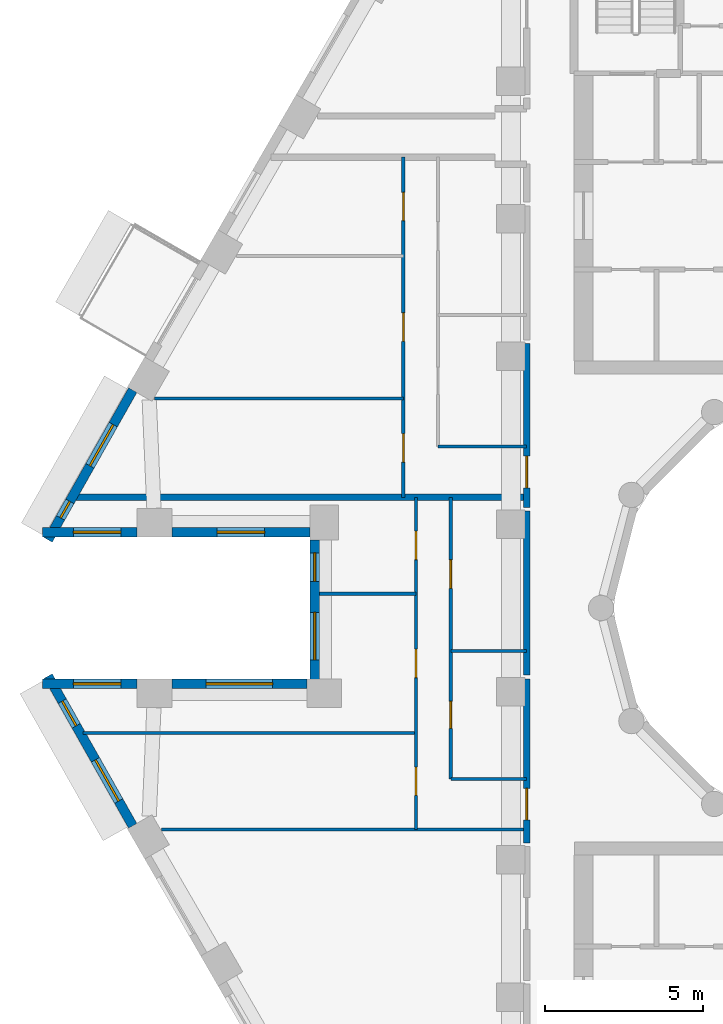
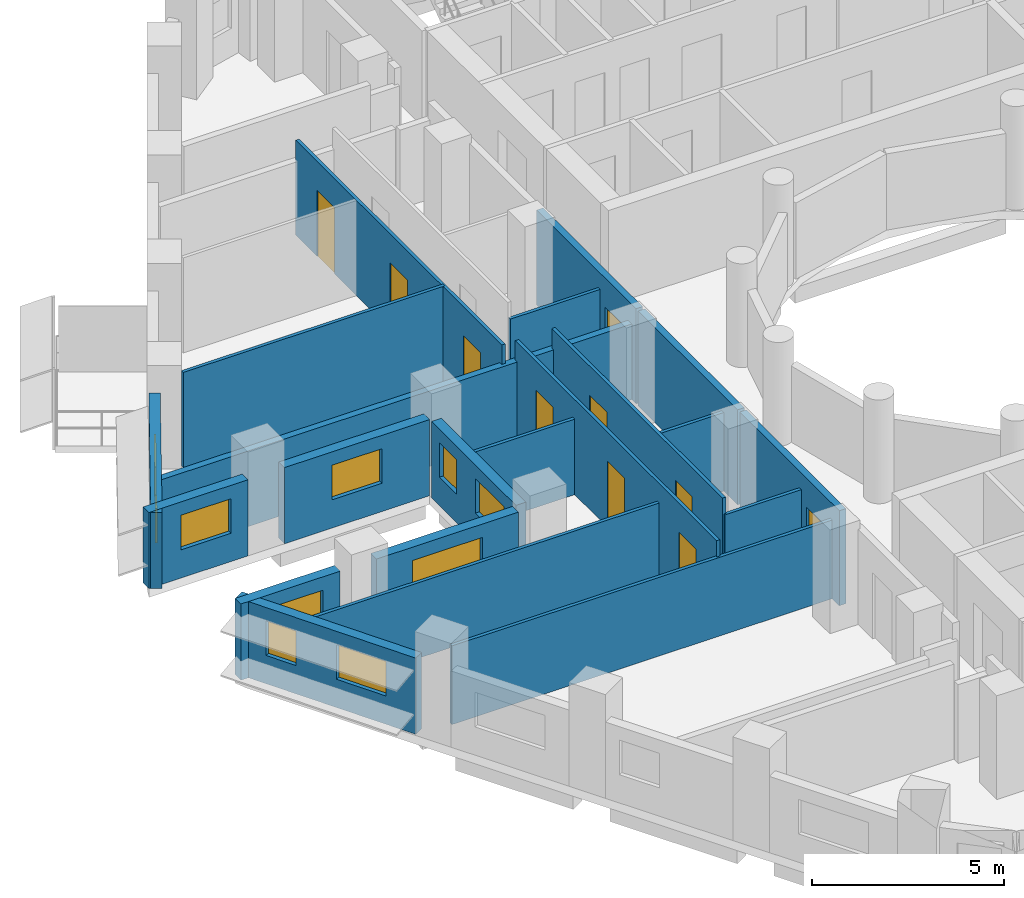
# One storey, part 4 of 14: 21 walls, 10 doors, 10 windows, 20 openings.
"""IFC4 building model written with IfcOpenShell, lengths in metres."""

from ifc_helpers import new_model, si_unit, direction, frame, frame_2d, origin, place, context, subcontext, project, spatial, rectangle, extrude, material, layer, layer_set, type_object, element, fill, save


model = new_model("IFC4")

# Units and contexts
model_context = context("Model", 3, precision=1e-05, world=origin(), true_north=direction((0.0, 1.0)))
body_context = subcontext(model_context, "Body", "Model", "MODEL_VIEW")
ifc_project = project(units=[si_unit("LENGTHUNIT", "METRE"), si_unit("AREAUNIT", "SQUARE_METRE"), si_unit("VOLUMEUNIT", "CUBIC_METRE"), si_unit("PLANEANGLEUNIT", "RADIAN"), si_unit("MASSUNIT", "GRAM", prefix="KILO")], contexts=[model_context])

# Site, building, storey
site_placement = place(None, origin())
site = spatial("IfcSite", under=ifc_project, at=site_placement, CompositionType="ELEMENT")
building_placement = place(site_placement, origin())
building = spatial("IfcBuilding", under=site, at=building_placement, Name="Nakaniwa Court", CompositionType="ELEMENT")
storey_placement = place(building_placement, frame((0.0, 0.0, 265.800048828125)))
storey = spatial("IfcBuildingStorey", under=building, at=storey_placement, Name="L70", CompositionType="ELEMENT", Elevation=265.800048828125)

# Wall, opening, door
ifc_material_1 = material(Name="Acoustic double stud partition")
ifc_layer_1 = layer(ifc_material_1, 0.199951171875)
ifc_layer_set_1 = layer_set([ifc_layer_1], Name="Acoustic double stud partition")
wall_type_1 = type_object("IfcWallType", Name="Acoustic double stud partition 200", PredefinedType="PARTITIONING", material=ifc_layer_set_1)
wall_1_placement = place(storey_placement, frame((70.5, 72.576904296875, 0.0), z_axis=(0.0, 0.0, 1.0), x_axis=(0.0, 1.0, 0.0)))
wall_1 = element("IfcWall", 1, at=wall_1_placement, inside=storey, type_object=wall_type_1, Name="Partition PW-089", PredefinedType="PARTITIONING", context=body_context, shape_type="SweptSolid", body=[
    extrude(rectangle(XDim=5.18603515625, YDim=0.199951171875, at=frame_2d((2.593017578125, 0.0))), origin(), (0.0, 0.0, 1.0), 3.02490234375),
])
opening_1_placement = place(wall_1_placement, frame((0.722900390625, 0.0, 0.0)))
opening_1 = element("IfcOpeningElement", 2, at=opening_1_placement, cuts=wall_1, Name="Opening D-01-04", PredefinedType="OPENING", context=body_context, shape_type="SweptSolid", body=[
    extrude(rectangle(XDim=1.0, YDim=2.10009765625, at=frame_2d((0.5, 1.050048828125))), frame((0.0, 0.10986328125, 0.0), z_axis=(0.0, -1.0, 0.0), x_axis=(1.0, 0.0, 0.0)), (0.0, 0.0, 1.0), 0.219970703125),
])
ifc_material_2 = material(Name="Solid core timber door set, black veneer", Category="wood")
door_type_1 = type_object("IfcDoorType", Name="Flat entrance door 1000", OperationType="NOTDEFINED", PredefinedType="DOOR", material=ifc_material_2)
door_1_placement = place(opening_1_placement, origin())
door_1 = element("IfcDoor", 3, at=door_1_placement, inside=storey, type_object=door_type_1, Name="Door D-01-04 L70-042", OperationType="SINGLE_SWING_LEFT", OverallHeight=2.10009765625, OverallWidth=1.0, PredefinedType="DOOR", context=body_context, shape_type="SweptSolid", body=[
    extrude(rectangle(XDim=1.0, YDim=2.10009765625, at=frame_2d((0.5, 1.050048828125))), frame((0.0, 0.02490234375, 0.0), z_axis=(0.0, -1.0, 0.0), x_axis=(1.0, 0.0, 0.0)), (0.0, 0.0, 1.0), 0.050048828125),
])
fill(opening_1, door_1)

# Wall
wall_2_placement = place(storey_placement, frame((70.5, 77.876953125, 0.0), z_axis=(0.0, 0.0, 1.0), x_axis=(0.0, 1.0, 0.0)))
element("IfcWall", 4, at=wall_2_placement, inside=storey, type_object=wall_type_1, Name="Partition PW-090", PredefinedType="PARTITIONING", context=body_context, shape_type="SweptSolid", body=[
    extrude(rectangle(XDim=5.18603515625, YDim=0.199951171875, at=frame_2d((2.593017578125, 0.0))), origin(), (0.0, 0.0, 1.0), 3.02490234375),
])

# Wall, opening, door
wall_3_placement = place(storey_placement, frame((70.5, 83.177001953125, 0.0), z_axis=(0.0, 0.0, 1.0), x_axis=(0.0, 1.0, 0.0)))
wall_3 = element("IfcWall", 5, at=wall_3_placement, inside=storey, type_object=wall_type_1, Name="Partition PW-091", PredefinedType="PARTITIONING", context=body_context, shape_type="SweptSolid", body=[
    extrude(rectangle(XDim=5.18603515625, YDim=0.199951171875, at=frame_2d((2.593017578125, 0.0))), origin(), (0.0, 0.0, 1.0), 3.02490234375),
])
opening_2_placement = place(wall_3_placement, frame((0.623046875, 0.0, 0.0)))
opening_2 = element("IfcOpeningElement", 6, at=opening_2_placement, cuts=wall_3, Name="Opening D-01-05", PredefinedType="OPENING", context=body_context, shape_type="SweptSolid", body=[
    extrude(rectangle(XDim=1.0, YDim=2.10009765625, at=frame_2d((0.5, 1.050048828125))), frame((0.0, 0.10986328125, 0.0), z_axis=(0.0, -1.0, 0.0), x_axis=(1.0, 0.0, 0.0)), (0.0, 0.0, 1.0), 0.219970703125),
])
door_2_placement = place(opening_2_placement, origin())
door_2 = element("IfcDoor", 7, at=door_2_placement, inside=storey, type_object=door_type_1, Name="Door D-01-05 L70-048", OperationType="SINGLE_SWING_LEFT", OverallHeight=2.10009765625, OverallWidth=1.0, PredefinedType="DOOR", context=body_context, shape_type="SweptSolid", body=[
    extrude(rectangle(XDim=1.0, YDim=2.10009765625, at=frame_2d((0.5, 1.050048828125))), frame((0.0, 0.02490234375, 0.0), z_axis=(0.0, -1.0, 0.0), x_axis=(1.0, 0.0, 0.0)), (0.0, 0.0, 1.0), 0.050048828125),
])
fill(opening_2, door_2)

# Wall
wall_4_placement = place(storey_placement, frame((56.213134765625, 83.5, 0.0), z_axis=(0.0, 0.0, 1.0), x_axis=(1.0, 0.0, 0.0)))
element("IfcWall", 8, at=wall_4_placement, inside=storey, type_object=wall_type_1, Name="Partition PW-116", PredefinedType="PARTITIONING", context=body_context, shape_type="SweptSolid", body=[
    extrude(rectangle(XDim=14.286865234375, YDim=0.199951171875, at=frame_2d((7.1435546875, 0.0))), origin(), (0.0, 0.0, 1.0), 2.405029296875),
])

# Wall, openings, windows
ifc_material_3 = material(Name="Charcoal ceramic cladding")
ifc_layer_2 = layer(ifc_material_3, 0.02, Name="Ceramic cladding")
ifc_material_4 = material(Name="Ventilated air cavity")
ifc_layer_3 = layer(ifc_material_4, 0.04, ventilated=True, Name="Ventilated cavity")
ifc_material_5 = material(Name="Mineral wool insulation")
ifc_layer_4 = layer(ifc_material_5, 0.1, Name="Insulation")
ifc_material_6 = material(Name="Cement bonded sheathing board")
ifc_layer_5 = layer(ifc_material_6, 0.012, Name="Sheathing")
ifc_material_7 = material(Name="Cold-formed galvanised stud frame with mineral wool infill")
ifc_layer_6 = layer(ifc_material_7, 0.1, Name="Stud frame")
ifc_material_8 = material(Name="Fire-rated gypsum plasterboard lining")
ifc_layer_7 = layer(ifc_material_8, 0.028, Name="Lining")
ifc_layer_set_2 = layer_set([ifc_layer_2, ifc_layer_3, ifc_layer_4, ifc_layer_5, ifc_layer_6, ifc_layer_7], Name="Charcoal ceramic faced external wall system")
wall_type_2 = type_object("IfcWallType", Name="Black ceramic faced external wall 300", PredefinedType="SOLIDWALL", material=ifc_layer_set_2)
wall_5_placement = place(storey_placement, frame((58.048095703125, 86.886474609375, 0.0), z_axis=(0.0, 0.0, 1.0), x_axis=(-0.492080931903, -0.870549456641, 0.0)))
wall_5 = element("IfcWall", 9, at=wall_5_placement, inside=storey, type_object=wall_type_2, Name="L70 external wall 14", PredefinedType="SOLIDWALL", context=body_context, shape_type="SweptSolid", body=[
    extrude(rectangle(XDim=5.436767578125, YDim=0.300048828125, at=frame_2d((2.71826171875, 0.0))), origin(), (0.0, 0.0, 1.0), 2.425048828125),
])
opening_3_placement = place(wall_5_placement, frame((1.251220703125, 0.0, 0.89990234375)))
opening_3 = element("IfcOpeningElement", 10, at=opening_3_placement, cuts=wall_5, Name="Opening W5.11", PredefinedType="OPENING", context=body_context, shape_type="SweptSolid", body=[
    extrude(rectangle(XDim=1.5, YDim=1.10009765625, at=frame_2d((0.75, 0.550048828125))), frame((0.0, 0.159912109375, 0.0), z_axis=(0.0, -1.0, 0.0), x_axis=(1.0, 0.0, 0.0)), (0.0, 0.0, 1.0), 0.320068359375),
])
opening_4_placement = place(wall_5_placement, frame((4.03955078125, 0.0, 0.89990234375)))
opening_4 = element("IfcOpeningElement", 11, at=opening_4_placement, cuts=wall_5, Name="Opening W8.12", PredefinedType="OPENING", context=body_context, shape_type="SweptSolid", body=[
    extrude(rectangle(XDim=0.60009765625, YDim=1.10009765625, at=frame_2d((0.300048828125, 0.550048828125))), frame((0.0, 0.159912109375, 0.0), z_axis=(0.0, -1.0, 0.0), x_axis=(1.0, 0.0, 0.0)), (0.0, 0.0, 1.0), 0.320068359375),
])
ifc_material_9 = material(Name="Black anodised aluminium frame with dark low-E laminated double glazing", Category="aluminium")
window_type_1 = type_object("IfcWindowType", Name="Dark glass window 1500x1100 sill 900", PartitioningType="SINGLE_PANEL", PredefinedType="WINDOW", material=ifc_material_9)
window_1_placement = place(opening_3_placement, origin())
window_1 = element("IfcWindow", 12, at=window_1_placement, inside=storey, type_object=window_type_1, Name="L70 bedroom window 14-0", OverallHeight=1.10009765625, OverallWidth=1.5, PartitioningType="SINGLE_PANEL", PredefinedType="WINDOW", context=body_context, shape_type="SweptSolid", body=[
    extrude(rectangle(XDim=1.5, YDim=1.10009765625, at=frame_2d((0.75, 0.550048828125))), frame((0.0, 0.030029296875, 0.0), z_axis=(0.0, -1.0, 0.0), x_axis=(1.0, 0.0, 0.0)), (0.0, 0.0, 1.0), 0.06005859375),
])
fill(opening_3, window_1)
window_type_2 = type_object("IfcWindowType", Name="Dark glass window 600x1100 sill 900", PartitioningType="SINGLE_PANEL", PredefinedType="WINDOW", material=ifc_material_9)
window_2_placement = place(opening_4_placement, origin())
window_2 = element("IfcWindow", 13, at=window_2_placement, inside=storey, type_object=window_type_2, Name="L70 bedroom window 14-1", OverallHeight=1.10009765625, OverallWidth=0.60009765625, PartitioningType="SINGLE_PANEL", PredefinedType="WINDOW", context=body_context, shape_type="SweptSolid", body=[
    extrude(rectangle(XDim=0.60009765625, YDim=1.10009765625, at=frame_2d((0.300048828125, 0.550048828125))), frame((0.0, 0.030029296875, 0.0), z_axis=(0.0, -1.0, 0.0), x_axis=(1.0, 0.0, 0.0)), (0.0, 0.0, 1.0), 0.06005859375),
])
fill(opening_4, window_2)

# Wall, opening, window
wall_6_placement = place(storey_placement, frame((55.2021484375, 82.39990234375, 0.0), z_axis=(0.0, 0.0, 1.0), x_axis=(1.0, 0.0, 0.0)))
wall_6 = element("IfcWall", 14, at=wall_6_placement, inside=storey, type_object=wall_type_2, Name="L70 external wall 15", PredefinedType="SOLIDWALL", context=body_context, shape_type="SweptSolid", body=[
    extrude(rectangle(XDim=2.98779296875, YDim=0.300048828125, at=frame_2d((1.493896484375, 0.0))), origin(), (0.0, 0.0, 1.0), 2.425048828125),
])
opening_5_placement = place(wall_6_placement, frame((0.968994140625, 0.0, 0.89990234375)))
opening_5 = element("IfcOpeningElement", 15, at=opening_5_placement, cuts=wall_6, Name="Opening W5.13", PredefinedType="OPENING", context=body_context, shape_type="SweptSolid", body=[
    extrude(rectangle(XDim=1.5, YDim=1.10009765625, at=frame_2d((0.75, 0.550048828125))), frame((0.0, 0.159912109375, 0.0), z_axis=(0.0, -1.0, 0.0), x_axis=(1.0, 0.0, 0.0)), (0.0, 0.0, 1.0), 0.320068359375),
])
window_3_placement = place(opening_5_placement, origin())
window_3 = element("IfcWindow", 16, at=window_3_placement, inside=storey, type_object=window_type_1, Name="L70 bedroom window 15-0", OverallHeight=1.10009765625, OverallWidth=1.5, PartitioningType="SINGLE_PANEL", PredefinedType="WINDOW", context=body_context, shape_type="SweptSolid", body=[
    extrude(rectangle(XDim=1.5, YDim=1.10009765625, at=frame_2d((0.75, 0.550048828125))), frame((0.0, 0.030029296875, 0.0), z_axis=(0.0, -1.0, 0.0), x_axis=(1.0, 0.0, 0.0)), (0.0, 0.0, 1.0), 0.06005859375),
])
fill(opening_5, window_3)

wall_7_placement = place(storey_placement, frame((59.281982421875, 82.39990234375, 0.0), z_axis=(0.0, 0.0, 1.0), x_axis=(1.0, 0.0, 0.0)))
wall_7 = element("IfcWall", 17, at=wall_7_placement, inside=storey, type_object=wall_type_2, Name="L70 external wall 16", PredefinedType="SOLIDWALL", context=body_context, shape_type="SweptSolid", body=[
    extrude(rectangle(XDim=4.37255859375, YDim=0.300048828125, at=frame_2d((2.186279296875, 0.0))), origin(), (0.0, 0.0, 1.0), 2.425048828125),
])
opening_6_placement = place(wall_7_placement, frame((1.436279296875, 0.0, 0.89990234375)))
opening_6 = element("IfcOpeningElement", 18, at=opening_6_placement, cuts=wall_7, Name="Opening W5.14", PredefinedType="OPENING", context=body_context, shape_type="SweptSolid", body=[
    extrude(rectangle(XDim=1.5, YDim=1.10009765625, at=frame_2d((0.75, 0.550048828125))), frame((0.0, 0.159912109375, 0.0), z_axis=(0.0, -1.0, 0.0), x_axis=(1.0, 0.0, 0.0)), (0.0, 0.0, 1.0), 0.320068359375),
])
window_4_placement = place(opening_6_placement, origin())
window_4 = element("IfcWindow", 19, at=window_4_placement, inside=storey, type_object=window_type_1, Name="L70 bedroom window 16-0", OverallHeight=1.10009765625, OverallWidth=1.5, PartitioningType="SINGLE_PANEL", PredefinedType="WINDOW", context=body_context, shape_type="SweptSolid", body=[
    extrude(rectangle(XDim=1.5, YDim=1.10009765625, at=frame_2d((0.75, 0.550048828125))), frame((0.0, 0.030029296875, 0.0), z_axis=(0.0, -1.0, 0.0), x_axis=(1.0, 0.0, 0.0)), (0.0, 0.0, 1.0), 0.06005859375),
])
fill(opening_6, window_4)

# Wall, openings, windows
wall_8_placement = place(storey_placement, frame((63.800537109375, 82.154052734375, 0.0), z_axis=(0.0, 0.0, 1.0), x_axis=(0.0, -1.0, 0.0)))
wall_8 = element("IfcWall", 20, at=wall_8_placement, inside=storey, type_object=wall_type_2, Name="L70 external wall 17", PredefinedType="SOLIDWALL", context=body_context, shape_type="SweptSolid", body=[
    extrude(rectangle(XDim=4.407958984375, YDim=0.300048828125, at=frame_2d((2.2041015625, 0.0))), origin(), (0.0, 0.0, 1.0), 2.425048828125),
])
opening_7_placement = place(wall_8_placement, frame((0.4130859375, 0.0, 0.89990234375)))
opening_7 = element("IfcOpeningElement", 21, at=opening_7_placement, cuts=wall_8, Name="Opening W9.15", PredefinedType="OPENING", context=body_context, shape_type="SweptSolid", body=[
    extrude(rectangle(XDim=0.89990234375, YDim=1.10009765625, at=frame_2d((0.449951171875, 0.550048828125))), frame((0.0, 0.159912109375, 0.0), z_axis=(0.0, -1.0, 0.0), x_axis=(1.0, 0.0, 0.0)), (0.0, 0.0, 1.0), 0.320068359375),
])
opening_8_placement = place(wall_8_placement, frame((2.293212890625, 0.0, 0.89990234375)))
opening_8 = element("IfcOpeningElement", 22, at=opening_8_placement, cuts=wall_8, Name="Opening W5.16", PredefinedType="OPENING", context=body_context, shape_type="SweptSolid", body=[
    extrude(rectangle(XDim=1.5, YDim=1.10009765625, at=frame_2d((0.75, 0.550048828125))), frame((0.0, 0.159912109375, 0.0), z_axis=(0.0, -1.0, 0.0), x_axis=(1.0, 0.0, 0.0)), (0.0, 0.0, 1.0), 0.320068359375),
])
window_5_placement = place(opening_8_placement, origin())
window_5 = element("IfcWindow", 23, at=window_5_placement, inside=storey, type_object=window_type_1, Name="L70 living window 17-1", OverallHeight=1.10009765625, OverallWidth=1.5, PartitioningType="SINGLE_PANEL", PredefinedType="WINDOW", context=body_context, shape_type="SweptSolid", body=[
    extrude(rectangle(XDim=1.5, YDim=1.10009765625, at=frame_2d((0.75, 0.550048828125))), frame((0.0, 0.030029296875, 0.0), z_axis=(0.0, -1.0, 0.0), x_axis=(1.0, 0.0, 0.0)), (0.0, 0.0, 1.0), 0.06005859375),
])
fill(opening_8, window_5)
window_type_3 = type_object("IfcWindowType", Name="Dark glass window 900x1100 sill 900", PartitioningType="SINGLE_PANEL", PredefinedType="WINDOW", material=ifc_material_9)
window_6_placement = place(opening_7_placement, origin())
window_6 = element("IfcWindow", 24, at=window_6_placement, inside=storey, type_object=window_type_3, Name="L70 bedroom window 17-0", OverallHeight=1.10009765625, OverallWidth=0.89990234375, PartitioningType="SINGLE_PANEL", PredefinedType="WINDOW", context=body_context, shape_type="SweptSolid", body=[
    extrude(rectangle(XDim=0.89990234375, YDim=1.10009765625, at=frame_2d((0.449951171875, 0.550048828125))), frame((0.0, 0.030029296875, 0.0), z_axis=(0.0, -1.0, 0.0), x_axis=(1.0, 0.0, 0.0)), (0.0, 0.0, 1.0), 0.06005859375),
])
fill(opening_7, window_6)

# Wall, opening, window
wall_9_placement = place(storey_placement, frame((63.554443359375, 77.60009765625, 0.0), z_axis=(0.0, 0.0, 1.0), x_axis=(-1.0, 0.0, 0.0)))
wall_9 = element("IfcWall", 25, at=wall_9_placement, inside=storey, type_object=wall_type_2, Name="L70 external wall 18", PredefinedType="SOLIDWALL", context=body_context, shape_type="SweptSolid", body=[
    extrude(rectangle(XDim=4.2724609375, YDim=0.300048828125, at=frame_2d((2.13623046875, 0.0))), origin(), (0.0, 0.0, 1.0), 2.425048828125),
])
opening_9_placement = place(wall_9_placement, frame((1.086181640625, 0.0, 0.89990234375)))
opening_9 = element("IfcOpeningElement", 26, at=opening_9_placement, cuts=wall_9, Name="Opening W7.17", PredefinedType="OPENING", context=body_context, shape_type="SweptSolid", body=[
    extrude(rectangle(XDim=2.10009765625, YDim=1.10009765625, at=frame_2d((1.050048828125, 0.550048828125))), frame((0.0, 0.159912109375, 0.0), z_axis=(0.0, -1.0, 0.0), x_axis=(1.0, 0.0, 0.0)), (0.0, 0.0, 1.0), 0.320068359375),
])
window_type_4 = type_object("IfcWindowType", Name="Dark glass window 2100x1100 sill 900", PartitioningType="SINGLE_PANEL", PredefinedType="WINDOW", material=ifc_material_9)
window_7_placement = place(opening_9_placement, origin())
window_7 = element("IfcWindow", 27, at=window_7_placement, inside=storey, type_object=window_type_4, Name="L70 living window 18-0", OverallHeight=1.10009765625, OverallWidth=2.10009765625, PartitioningType="SINGLE_PANEL", PredefinedType="WINDOW", context=body_context, shape_type="SweptSolid", body=[
    extrude(rectangle(XDim=2.10009765625, YDim=1.10009765625, at=frame_2d((1.050048828125, 0.550048828125))), frame((0.0, 0.030029296875, 0.0), z_axis=(0.0, -1.0, 0.0), x_axis=(1.0, 0.0, 0.0)), (0.0, 0.0, 1.0), 0.06005859375),
])
fill(opening_9, window_7)

wall_10_placement = place(storey_placement, frame((58.18994140625, 77.60009765625, 0.0), z_axis=(0.0, 0.0, 1.0), x_axis=(-1.0, 0.0, 0.0)))
wall_10 = element("IfcWall", 28, at=wall_10_placement, inside=storey, type_object=wall_type_2, Name="L70 external wall 19", PredefinedType="SOLIDWALL", context=body_context, shape_type="SweptSolid", body=[
    extrude(rectangle(XDim=2.98779296875, YDim=0.300048828125, at=frame_2d((1.493896484375, 0.0))), origin(), (0.0, 0.0, 1.0), 2.425048828125),
])
opening_10_placement = place(wall_10_placement, frame((0.51904296875, 0.0, 0.89990234375)))
opening_10 = element("IfcOpeningElement", 29, at=opening_10_placement, cuts=wall_10, Name="Opening W5.18", PredefinedType="OPENING", context=body_context, shape_type="SweptSolid", body=[
    extrude(rectangle(XDim=1.5, YDim=1.10009765625, at=frame_2d((0.75, 0.550048828125))), frame((0.0, 0.159912109375, 0.0), z_axis=(0.0, -1.0, 0.0), x_axis=(1.0, 0.0, 0.0)), (0.0, 0.0, 1.0), 0.320068359375),
])
window_8_placement = place(opening_10_placement, origin())
window_8 = element("IfcWindow", 30, at=window_8_placement, inside=storey, type_object=window_type_1, Name="L70 living window 19-0", OverallHeight=1.10009765625, OverallWidth=1.5, PartitioningType="SINGLE_PANEL", PredefinedType="WINDOW", context=body_context, shape_type="SweptSolid", body=[
    extrude(rectangle(XDim=1.5, YDim=1.10009765625, at=frame_2d((0.75, 0.550048828125))), frame((0.0, 0.030029296875, 0.0), z_axis=(0.0, -1.0, 0.0), x_axis=(1.0, 0.0, 0.0)), (0.0, 0.0, 1.0), 0.06005859375),
])
fill(opening_10, window_8)

# Wall, openings, windows
wall_11_placement = place(storey_placement, frame((55.372802734375, 77.846435546875, 0.0), z_axis=(0.0, 0.0, 1.0), x_axis=(0.492080931903, -0.870549456641, 0.0)))
wall_11 = element("IfcWall", 31, at=wall_11_placement, inside=storey, type_object=wall_type_2, Name="L70 external wall 20", PredefinedType="SOLIDWALL", context=body_context, shape_type="SweptSolid", body=[
    extrude(rectangle(XDim=5.436767578125, YDim=0.300048828125, at=frame_2d((2.71826171875, 0.0))), origin(), (0.0, 0.0, 1.0), 2.425048828125),
])
opening_11_placement = place(wall_11_placement, frame((0.906494140625, 0.0, 0.89990234375)))
opening_11 = element("IfcOpeningElement", 32, at=opening_11_placement, cuts=wall_11, Name="Opening W9.19", PredefinedType="OPENING", context=body_context, shape_type="SweptSolid", body=[
    extrude(rectangle(XDim=0.89990234375, YDim=1.10009765625, at=frame_2d((0.449951171875, 0.550048828125))), frame((0.0, 0.159912109375, 0.0), z_axis=(0.0, -1.0, 0.0), x_axis=(1.0, 0.0, 0.0)), (0.0, 0.0, 1.0), 0.320068359375),
])
opening_12_placement = place(wall_11_placement, frame((3.036376953125, 0.0, 0.89990234375)))
opening_12 = element("IfcOpeningElement", 33, at=opening_12_placement, cuts=wall_11, Name="Opening W5.20", PredefinedType="OPENING", context=body_context, shape_type="SweptSolid", body=[
    extrude(rectangle(XDim=1.5, YDim=1.10009765625, at=frame_2d((0.75, 0.550048828125))), frame((0.0, 0.159912109375, 0.0), z_axis=(0.0, -1.0, 0.0), x_axis=(1.0, 0.0, 0.0)), (0.0, 0.0, 1.0), 0.320068359375),
])
window_9_placement = place(opening_12_placement, origin())
window_9 = element("IfcWindow", 34, at=window_9_placement, inside=storey, type_object=window_type_1, Name="L70 bedroom window 20-1", OverallHeight=1.10009765625, OverallWidth=1.5, PartitioningType="SINGLE_PANEL", PredefinedType="WINDOW", context=body_context, shape_type="SweptSolid", body=[
    extrude(rectangle(XDim=1.5, YDim=1.10009765625, at=frame_2d((0.75, 0.550048828125))), frame((0.0, 0.030029296875, 0.0), z_axis=(0.0, -1.0, 0.0), x_axis=(1.0, 0.0, 0.0)), (0.0, 0.0, 1.0), 0.06005859375),
])
fill(opening_12, window_9)
window_10_placement = place(opening_11_placement, origin())
window_10 = element("IfcWindow", 35, at=window_10_placement, inside=storey, type_object=window_type_3, Name="L70 living window 20-0", OverallHeight=1.10009765625, OverallWidth=0.89990234375, PartitioningType="SINGLE_PANEL", PredefinedType="WINDOW", context=body_context, shape_type="SweptSolid", body=[
    extrude(rectangle(XDim=0.89990234375, YDim=1.10009765625, at=frame_2d((0.449951171875, 0.550048828125))), frame((0.0, 0.030029296875, 0.0), z_axis=(0.0, -1.0, 0.0), x_axis=(1.0, 0.0, 0.0)), (0.0, 0.0, 1.0), 0.06005859375),
])
fill(opening_11, window_10)

# Walls
ifc_material_10 = material(Name="Single stud plasterboard partition")
ifc_layer_8 = layer(ifc_material_10, 0.10009765625)
ifc_layer_set_3 = layer_set([ifc_layer_8], Name="Single stud plasterboard partition")
wall_type_3 = type_object("IfcWallType", Name="Single stud plasterboard partition 100", PredefinedType="PARTITIONING", material=ifc_layer_set_3)
wall_12_placement = place(storey_placement, frame((58.94970703125, 73.0, 0.0), z_axis=(0.0, 0.0, 1.0), x_axis=(1.0, 0.0, 0.0)))
element("IfcWall", 36, at=wall_12_placement, inside=storey, type_object=wall_type_3, Name="Partition PW-112", PredefinedType="PARTITIONING", context=body_context, shape_type="SweptSolid", body=[
    extrude(rectangle(XDim=11.55029296875, YDim=0.10009765625, at=frame_2d((5.775146484375, 0.0))), origin(), (0.0, 0.0, 1.0), 2.5048828125),
])
for number, where, z_axis, x_axis, name in (
    (37, (68.10009765625, 78.64501953125, 0.0), (0.0, 0.0, 1.0), (1.0, 0.0, 0.0), "Partition PW-113"),
    (38, (68.10009765625, 74.60009765625, 0.0), (0.0, 0.0, 1.0), (1.0, 0.0, 0.0), "Partition PW-114"),
):
    element("IfcWall", number, at=place(storey_placement, frame(where, z_axis=z_axis, x_axis=x_axis)), inside=storey, type_object=wall_type_3, Name=name, PredefinedType="PARTITIONING", context=body_context, shape_type="SweptSolid", body=[
        extrude(rectangle(XDim=2.39990234375, YDim=0.10009765625, at=frame_2d((1.199951171875, 0.0))), origin(), (0.0, 0.0, 1.0), 2.5048828125),
    ])

# Wall, openings, doors
wall_13_placement = place(storey_placement, frame((68.10009765625, 83.5, 0.0), z_axis=(0.0, 0.0, 1.0), x_axis=(0.0, -1.0, 0.0)))
wall_13 = element("IfcWall", 39, at=wall_13_placement, inside=storey, type_object=wall_type_3, Name="Partition PW-115", PredefinedType="PARTITIONING", context=body_context, shape_type="SweptSolid", body=[
    extrude(rectangle(XDim=8.89990234375, YDim=0.10009765625, at=frame_2d((4.449951171875, 0.0))), origin(), (0.0, 0.0, 1.0), 3.02490234375),
])
opening_13_placement = place(wall_13_placement, frame((6.451904296875, 0.0, 0.0)))
opening_13 = element("IfcOpeningElement", 40, at=opening_13_placement, cuts=wall_13, Name="Opening D-03-04", PredefinedType="OPENING", context=body_context, shape_type="SweptSolid", body=[
    extrude(rectangle(XDim=0.85009765625, YDim=2.10009765625, at=frame_2d((0.425048828125, 1.050048828125))), frame((0.0, 0.06005859375, 0.0), z_axis=(0.0, -1.0, 0.0), x_axis=(1.0, 0.0, 0.0)), (0.0, 0.0, 1.0), 0.1201171875),
])
opening_14_placement = place(wall_13_placement, frame((1.97705078125, 0.0, 0.0)))
opening_14 = element("IfcOpeningElement", 41, at=opening_14_placement, cuts=wall_13, Name="Opening D-33-07", PredefinedType="OPENING", context=body_context, shape_type="SweptSolid", body=[
    extrude(rectangle(XDim=0.89990234375, YDim=2.10009765625, at=frame_2d((0.449951171875, 1.050048828125))), frame((0.0, 0.06005859375, 0.0), z_axis=(0.0, -1.0, 0.0), x_axis=(1.0, 0.0, 0.0)), (0.0, 0.0, 1.0), 0.1201171875),
])
ifc_material_11 = material(Name="Moisture sealed timber door set", Category="wood")
door_type_2 = type_object("IfcDoorType", Name="Bathroom door 850", OperationType="NOTDEFINED", PredefinedType="DOOR", material=ifc_material_11)
door_3_placement = place(opening_13_placement, origin())
door_3 = element("IfcDoor", 42, at=door_3_placement, inside=storey, type_object=door_type_2, Name="Door D-03-04 L70-043", OperationType="SINGLE_SWING_RIGHT", OverallHeight=2.10009765625, OverallWidth=0.85009765625, PredefinedType="DOOR", context=body_context, shape_type="SweptSolid", body=[
    extrude(rectangle(XDim=0.85009765625, YDim=2.10009765625, at=frame_2d((0.425048828125, 1.050048828125))), frame((0.0, 0.02490234375, 0.0), z_axis=(0.0, -1.0, 0.0), x_axis=(1.0, 0.0, 0.0)), (0.0, 0.0, 1.0), 0.050048828125),
])
fill(opening_13, door_3)
door_type_3 = type_object("IfcDoorType", Name="Internal door 900", OperationType="NOTDEFINED", PredefinedType="DOOR", material=ifc_material_2)
door_4_placement = place(opening_14_placement, origin())
door_4 = element("IfcDoor", 43, at=door_4_placement, inside=storey, type_object=door_type_3, Name="Door D-33-07 L70-044", OperationType="SINGLE_SWING_LEFT", OverallHeight=2.10009765625, OverallWidth=0.89990234375, PredefinedType="DOOR", context=body_context, shape_type="SweptSolid", body=[
    extrude(rectangle(XDim=0.89990234375, YDim=2.10009765625, at=frame_2d((0.449951171875, 1.050048828125))), frame((0.0, 0.02490234375, 0.0), z_axis=(0.0, -1.0, 0.0), x_axis=(1.0, 0.0, 0.0)), (0.0, 0.0, 1.0), 0.050048828125),
])
fill(opening_14, door_4)

wall_14_placement = place(storey_placement, frame((67.0, 73.0, 0.0), z_axis=(0.0, 0.0, 1.0), x_axis=(0.0, 1.0, 0.0)))
wall_14 = element("IfcWall", 44, at=wall_14_placement, inside=storey, type_object=wall_type_3, Name="Partition PW-117", PredefinedType="PARTITIONING", context=body_context, shape_type="SweptSolid", body=[
    extrude(rectangle(XDim=10.5, YDim=0.10009765625, at=frame_2d((5.25, 0.0))), origin(), (0.0, 0.0, 1.0), 3.02490234375),
])
opening_15_placement = place(wall_14_placement, frame((1.073974609375, 0.0, 0.0)))
opening_15 = element("IfcOpeningElement", 45, at=opening_15_placement, cuts=wall_14, Name="Opening D-33-08", PredefinedType="OPENING", context=body_context, shape_type="SweptSolid", body=[
    extrude(rectangle(XDim=0.89990234375, YDim=2.10009765625, at=frame_2d((0.449951171875, 1.050048828125))), frame((0.0, 0.06005859375, 0.0), z_axis=(0.0, -1.0, 0.0), x_axis=(1.0, 0.0, 0.0)), (0.0, 0.0, 1.0), 0.1201171875),
])
opening_16_placement = place(wall_14_placement, frame((4.800048828125, 0.0, 0.0)))
opening_16 = element("IfcOpeningElement", 46, at=opening_16_placement, cuts=wall_14, Name="Opening D-33-09", PredefinedType="OPENING", context=body_context, shape_type="SweptSolid", body=[
    extrude(rectangle(XDim=0.89990234375, YDim=2.10009765625, at=frame_2d((0.449951171875, 1.050048828125))), frame((0.0, 0.06005859375, 0.0), z_axis=(0.0, -1.0, 0.0), x_axis=(1.0, 0.0, 0.0)), (0.0, 0.0, 1.0), 0.1201171875),
])
opening_17_placement = place(wall_14_placement, frame((8.52587890625, 0.0, 0.0)))
opening_17 = element("IfcOpeningElement", 47, at=opening_17_placement, cuts=wall_14, Name="Opening D-33-10", PredefinedType="OPENING", context=body_context, shape_type="SweptSolid", body=[
    extrude(rectangle(XDim=0.89990234375, YDim=2.10009765625, at=frame_2d((0.449951171875, 1.050048828125))), frame((0.0, 0.06005859375, 0.0), z_axis=(0.0, -1.0, 0.0), x_axis=(1.0, 0.0, 0.0)), (0.0, 0.0, 1.0), 0.1201171875),
])
door_5_placement = place(opening_15_placement, origin())
door_5 = element("IfcDoor", 48, at=door_5_placement, inside=storey, type_object=door_type_3, Name="Door D-33-08 L70-045", OperationType="SINGLE_SWING_RIGHT", OverallHeight=2.10009765625, OverallWidth=0.89990234375, PredefinedType="DOOR", context=body_context, shape_type="SweptSolid", body=[
    extrude(rectangle(XDim=0.89990234375, YDim=2.10009765625, at=frame_2d((0.449951171875, 1.050048828125))), frame((0.0, 0.02490234375, 0.0), z_axis=(0.0, -1.0, 0.0), x_axis=(1.0, 0.0, 0.0)), (0.0, 0.0, 1.0), 0.050048828125),
])
fill(opening_15, door_5)
door_6_placement = place(opening_16_placement, origin())
door_6 = element("IfcDoor", 49, at=door_6_placement, inside=storey, type_object=door_type_3, Name="Door D-33-09 L70-046", OperationType="SINGLE_SWING_LEFT", OverallHeight=2.10009765625, OverallWidth=0.89990234375, PredefinedType="DOOR", context=body_context, shape_type="SweptSolid", body=[
    extrude(rectangle(XDim=0.89990234375, YDim=2.10009765625, at=frame_2d((0.449951171875, 1.050048828125))), frame((0.0, 0.02490234375, 0.0), z_axis=(0.0, -1.0, 0.0), x_axis=(1.0, 0.0, 0.0)), (0.0, 0.0, 1.0), 0.050048828125),
])
fill(opening_16, door_6)
door_7_placement = place(opening_17_placement, origin())
door_7 = element("IfcDoor", 50, at=door_7_placement, inside=storey, type_object=door_type_3, Name="Door D-33-10 L70-047", OperationType="SINGLE_SWING_RIGHT", OverallHeight=2.10009765625, OverallWidth=0.89990234375, PredefinedType="DOOR", context=body_context, shape_type="SweptSolid", body=[
    extrude(rectangle(XDim=0.89990234375, YDim=2.10009765625, at=frame_2d((0.449951171875, 1.050048828125))), frame((0.0, 0.02490234375, 0.0), z_axis=(0.0, -1.0, 0.0), x_axis=(1.0, 0.0, 0.0)), (0.0, 0.0, 1.0), 0.050048828125),
])
fill(opening_17, door_7)

# Walls
wall_15_placement = place(storey_placement, frame((56.473876953125, 76.048095703125, 0.0), z_axis=(0.0, 0.0, 1.0), x_axis=(1.0, 0.0, 0.0)))
element("IfcWall", 51, at=wall_15_placement, inside=storey, type_object=wall_type_3, Name="Partition PW-118", PredefinedType="PARTITIONING", context=body_context, shape_type="SweptSolid", body=[
    extrude(rectangle(XDim=10.526123046875, YDim=0.10009765625, at=frame_2d((5.26318359375, 0.0))), origin(), (0.0, 0.0, 1.0), 2.405029296875),
])
wall_16_placement = place(storey_placement, frame((63.950439453125, 80.451904296875, 0.0), z_axis=(0.0, 0.0, 1.0), x_axis=(1.0, 0.0, 0.0)))
element("IfcWall", 52, at=wall_16_placement, inside=storey, type_object=wall_type_3, Name="Partition PW-119", PredefinedType="PARTITIONING", context=body_context, shape_type="SweptSolid", body=[
    extrude(rectangle(XDim=3.049560546875, YDim=0.10009765625, at=frame_2d((1.52490234375, 0.0))), origin(), (0.0, 0.0, 1.0), 2.405029296875),
])
wall_17_placement = place(storey_placement, frame((67.699951171875, 85.10009765625, 0.0), z_axis=(0.0, 0.0, 1.0), x_axis=(1.0, 0.0, 0.0)))
element("IfcWall", 53, at=wall_17_placement, inside=storey, type_object=wall_type_3, Name="Partition PW-121", PredefinedType="PARTITIONING", context=body_context, shape_type="SweptSolid", body=[
    extrude(rectangle(XDim=2.800048828125, YDim=0.10009765625, at=frame_2d((1.39990234375, 0.0))), origin(), (0.0, 0.0, 1.0), 2.5048828125),
])

# Wall, openings, doors
wall_18_placement = place(storey_placement, frame((66.60009765625, 83.5, 0.0), z_axis=(0.0, 0.0, 1.0), x_axis=(0.0, 1.0, 0.0)))
wall_18 = element("IfcWall", 54, at=wall_18_placement, inside=storey, type_object=wall_type_3, Name="Partition PW-123", PredefinedType="PARTITIONING", context=body_context, shape_type="SweptSolid", body=[
    extrude(rectangle(XDim=10.75, YDim=0.10009765625, at=frame_2d((5.375, 0.0))), origin(), (0.0, 0.0, 1.0), 3.02490234375),
])
opening_18_placement = place(wall_18_placement, frame((1.111083984375, 0.0, 0.0)))
opening_18 = element("IfcOpeningElement", 55, at=opening_18_placement, cuts=wall_18, Name="Opening D-33-12", PredefinedType="OPENING", context=body_context, shape_type="SweptSolid", body=[
    extrude(rectangle(XDim=0.89990234375, YDim=2.10009765625, at=frame_2d((0.449951171875, 1.050048828125))), frame((0.0, 0.06005859375, 0.0), z_axis=(0.0, -1.0, 0.0), x_axis=(1.0, 0.0, 0.0)), (0.0, 0.0, 1.0), 0.1201171875),
])
opening_19_placement = place(wall_18_placement, frame((4.925048828125, 0.0, 0.0)))
opening_19 = element("IfcOpeningElement", 56, at=opening_19_placement, cuts=wall_18, Name="Opening D-33-13", PredefinedType="OPENING", context=body_context, shape_type="SweptSolid", body=[
    extrude(rectangle(XDim=0.89990234375, YDim=2.10009765625, at=frame_2d((0.449951171875, 1.050048828125))), frame((0.0, 0.06005859375, 0.0), z_axis=(0.0, -1.0, 0.0), x_axis=(1.0, 0.0, 0.0)), (0.0, 0.0, 1.0), 0.1201171875),
])
opening_20_placement = place(wall_18_placement, frame((8.739990234375, 0.0, 0.0)))
opening_20 = element("IfcOpeningElement", 57, at=opening_20_placement, cuts=wall_18, Name="Opening D-33-14", PredefinedType="OPENING", context=body_context, shape_type="SweptSolid", body=[
    extrude(rectangle(XDim=0.89990234375, YDim=2.10009765625, at=frame_2d((0.449951171875, 1.050048828125))), frame((0.0, 0.06005859375, 0.0), z_axis=(0.0, -1.0, 0.0), x_axis=(1.0, 0.0, 0.0)), (0.0, 0.0, 1.0), 0.1201171875),
])
door_8_placement = place(opening_18_placement, origin())
door_8 = element("IfcDoor", 58, at=door_8_placement, inside=storey, type_object=door_type_3, Name="Door D-33-12 L70-051", OperationType="SINGLE_SWING_RIGHT", OverallHeight=2.10009765625, OverallWidth=0.89990234375, PredefinedType="DOOR", context=body_context, shape_type="SweptSolid", body=[
    extrude(rectangle(XDim=0.89990234375, YDim=2.10009765625, at=frame_2d((0.449951171875, 1.050048828125))), frame((0.0, 0.02490234375, 0.0), z_axis=(0.0, -1.0, 0.0), x_axis=(1.0, 0.0, 0.0)), (0.0, 0.0, 1.0), 0.050048828125),
])
fill(opening_18, door_8)
door_9_placement = place(opening_19_placement, origin())
door_9 = element("IfcDoor", 59, at=door_9_placement, inside=storey, type_object=door_type_3, Name="Door D-33-13 L70-052", OperationType="SINGLE_SWING_LEFT", OverallHeight=2.10009765625, OverallWidth=0.89990234375, PredefinedType="DOOR", context=body_context, shape_type="SweptSolid", body=[
    extrude(rectangle(XDim=0.89990234375, YDim=2.10009765625, at=frame_2d((0.449951171875, 1.050048828125))), frame((0.0, 0.02490234375, 0.0), z_axis=(0.0, -1.0, 0.0), x_axis=(1.0, 0.0, 0.0)), (0.0, 0.0, 1.0), 0.050048828125),
])
fill(opening_19, door_9)
door_10_placement = place(opening_20_placement, origin())
door_10 = element("IfcDoor", 60, at=door_10_placement, inside=storey, type_object=door_type_3, Name="Door D-33-14 L70-053", OperationType="SINGLE_SWING_RIGHT", OverallHeight=2.10009765625, OverallWidth=0.89990234375, PredefinedType="DOOR", context=body_context, shape_type="SweptSolid", body=[
    extrude(rectangle(XDim=0.89990234375, YDim=2.10009765625, at=frame_2d((0.449951171875, 1.050048828125))), frame((0.0, 0.02490234375, 0.0), z_axis=(0.0, -1.0, 0.0), x_axis=(1.0, 0.0, 0.0)), (0.0, 0.0, 1.0), 0.050048828125),
])
fill(opening_20, door_10)

# Wall
wall_19_placement = place(storey_placement, frame((58.73095703125, 86.62109375, 0.0), z_axis=(0.0, 0.0, 1.0), x_axis=(1.0, 0.0, 0.0)))
element("IfcWall", 61, at=wall_19_placement, inside=storey, type_object=wall_type_3, Name="Partition PW-124", PredefinedType="PARTITIONING", context=body_context, shape_type="SweptSolid", body=[
    extrude(rectangle(XDim=7.869140625, YDim=0.10009765625, at=frame_2d((3.9345703125, 0.0))), origin(), (0.0, 0.0, 1.0), 3.02490234375),
])

save(model, "model.ifc")
